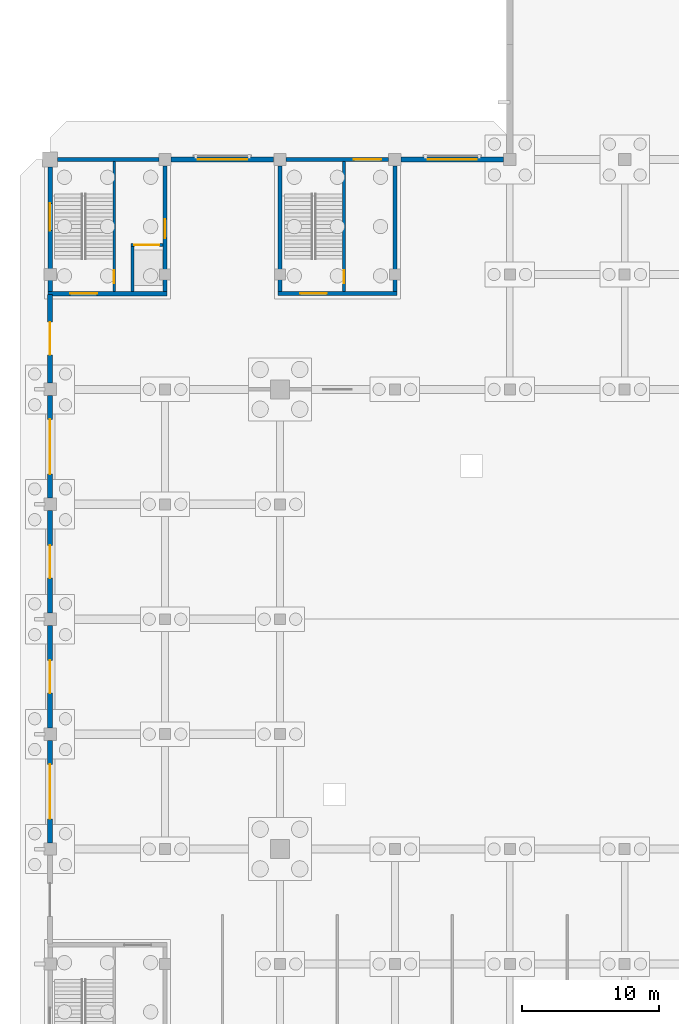
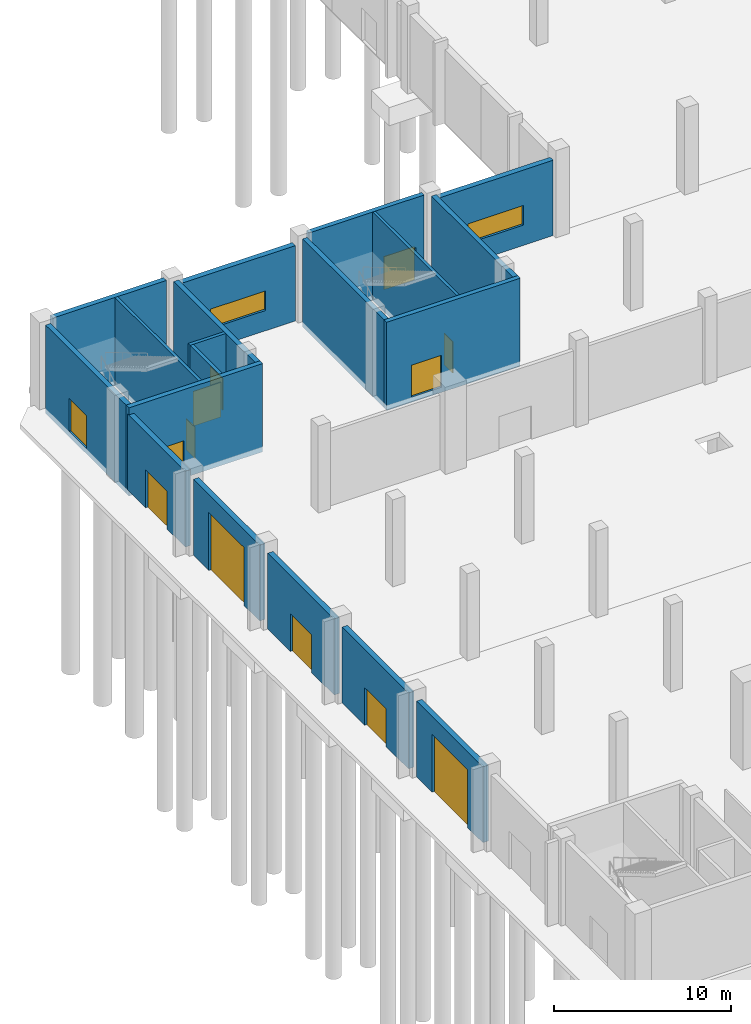
# One storey, part 55 of 72: 19 walls, 13 doors, 2 windows, 15 openings.
"""IFC4 building model written with IfcOpenShell, lengths in metres."""

from ifc_helpers import new_model, si_unit, direction, frame, frame_2d, origin, place, context, subcontext, project, spatial, rectangle, extrude, material, layer, layer_set, type_object, element, fill, save


model = new_model("IFC4")

# Units and contexts
model_context = context("Model", 3, precision=1e-05, world=origin(), true_north=direction((0.0, 1.0)))
body_context = subcontext(model_context, "Body", "Model", "MODEL_VIEW")
ifc_project = project(units=[si_unit("LENGTHUNIT", "METRE"), si_unit("AREAUNIT", "SQUARE_METRE"), si_unit("VOLUMEUNIT", "CUBIC_METRE"), si_unit("PLANEANGLEUNIT", "RADIAN"), si_unit("MASSUNIT", "GRAM", prefix="KILO")], contexts=[model_context])

# Site, building, storey
site_placement = place(None, origin())
site = spatial("IfcSite", under=ifc_project, at=site_placement, CompositionType="ELEMENT")
building_placement = place(site_placement, origin())
building = spatial("IfcBuilding", under=site, at=building_placement, Name="Qawsi Khor Wholesale Market", CompositionType="ELEMENT")
storey_placement = place(building_placement, origin())
storey = spatial("IfcBuildingStorey", under=building, at=storey_placement, Name="L00", CompositionType="ELEMENT", Elevation=0.0)

# Wall, opening, door
ifc_material_1 = material(Name="Concrete C40/50", Category="concrete")
ifc_layer_1 = layer(ifc_material_1, 0.300048828125, Name="Concrete C40/50")
ifc_layer_set_1 = layer_set([ifc_layer_1], Name="Concrete C40/50")
wall_type_1 = type_object("IfcWallType", Name="Core Shear Wall RC 300 C40/50", PredefinedType="SHEAR", material=ifc_layer_set_1)
wall_1_placement = place(storey_placement, frame((25.35009765625, 99.39990234375, -0.360107421875), z_axis=(0.0, 0.0, 1.0), x_axis=(-1.0, 0.0, 0.0)))
wall_1 = element("IfcWall", 1, at=wall_1_placement, inside=storey, type_object=wall_type_1, Name="Core C09 south shear wall L00", PredefinedType="SHEAR", context=body_context, shape_type="SweptSolid", body=[
    extrude(rectangle(XDim=8.7001953125, YDim=0.300048828125, at=frame_2d((4.35009765625, 0.0))), origin(), (0.0, 0.0, 1.0), 6.080078125),
])
opening_1_placement = place(wall_1_placement, frame((5.1201171875, 0.0, 0.360107421875)))
opening_1 = element("IfcOpeningElement", 2, at=opening_1_placement, cuts=wall_1, Name="Opening ID-01", PredefinedType="OPENING", context=body_context, shape_type="SweptSolid", body=[
    extrude(rectangle(XDim=1.9599609375, YDim=2.199951171875, at=frame_2d((0.97998046875, 1.10009765625))), frame((0.0, 0.159912109375, 0.0), z_axis=(0.0, -1.0, 0.0), x_axis=(1.0, 0.0, 0.0)), (0.0, 0.0, 1.0), 0.320068359375),
])
ifc_material_2 = material(Name="Steel Fire Door", Category="steel")
door_type_1 = type_object("IfcDoorType", Name="Stair & Core Fire Door 1960x2200 FD90S", OperationType="NOTDEFINED", PredefinedType="DOOR", material=ifc_material_2)
door_1_placement = place(opening_1_placement, origin())
door_1 = element("IfcDoor", 3, at=door_1_placement, inside=storey, type_object=door_type_1, Name="Core C09 fire door L00", OperationType="DOUBLE_DOOR_SINGLE_SWING", OverallHeight=2.199951171875, OverallWidth=1.9599609375, PredefinedType="DOOR", context=body_context, shape_type="SweptSolid", body=[
    extrude(rectangle(XDim=1.9599609375, YDim=2.199951171875, at=frame_2d((0.97998046875, 1.10009765625))), frame((0.0, 0.02490234375, 0.0), z_axis=(0.0, -1.0, 0.0), x_axis=(1.0, 0.0, 0.0)), (0.0, 0.0, 1.0), 0.050048828125),
])
fill(opening_1, door_1)

# Wall
wall_2_placement = place(storey_placement, frame((16.800048828125, 99.550048828125, -0.360107421875), z_axis=(0.0, 0.0, 1.0), x_axis=(0.0, 1.0, 0.0)))
element("IfcWall", 4, at=wall_2_placement, inside=storey, type_object=wall_type_1, Name="Core C09 west shear wall L00", PredefinedType="SHEAR", context=body_context, shape_type="SweptSolid", body=[
    extrude(rectangle(XDim=9.195068359375, YDim=0.300048828125, at=frame_2d((4.59765625, 0.0))), origin(), (0.0, 0.0, 1.0), 6.080078125),
])

# Wall, opening, door
wall_3_placement = place(storey_placement, frame((17.2548828125, 109.199951171875, -0.360107421875), z_axis=(0.0, 0.0, 1.0), x_axis=(1.0, 0.0, 0.0)))
wall_3 = element("IfcWall", 5, at=wall_3_placement, inside=storey, type_object=wall_type_1, Name="Core C09 north shear wall L00", PredefinedType="SHEAR", context=body_context, shape_type="SweptSolid", body=[
    extrude(rectangle(XDim=7.490234375, YDim=0.300048828125, at=frame_2d((3.7451171875, 0.0))), origin(), (0.0, 0.0, 1.0), 6.080078125),
])
opening_2_placement = place(wall_3_placement, frame((4.945068359375, 0.0, 0.360107421875)))
opening_2 = element("IfcOpeningElement", 6, at=opening_2_placement, cuts=wall_3, Name="Opening ED-06", PredefinedType="OPENING", context=body_context, shape_type="SweptSolid", body=[
    extrude(rectangle(XDim=2.0, YDim=2.280029296875, at=frame_2d((1.0, 1.14013671875))), frame((0.0, 0.159912109375, 0.0), z_axis=(0.0, -1.0, 0.0), x_axis=(1.0, 0.0, 0.0)), (0.0, 0.0, 1.0), 0.320068359375),
])
ifc_material_3 = material(Name="Powder-Coated Galvanised Steel & Glazing", Category="steel")
door_type_2 = type_object("IfcDoorType", Name="Final Exit Stair Discharge Door 2000x2280 FD120S", OperationType="NOTDEFINED", PredefinedType="DOOR", material=ifc_material_3)
door_2_placement = place(opening_2_placement, origin())
door_2 = element("IfcDoor", 7, at=door_2_placement, inside=storey, type_object=door_type_2, Name="Final exit stair discharge door ST-09", OperationType="DOUBLE_DOOR_SINGLE_SWING", OverallHeight=2.280029296875, OverallWidth=2.0, PredefinedType="DOOR", context=body_context, shape_type="SweptSolid", body=[
    extrude(rectangle(XDim=2.0, YDim=2.280029296875, at=frame_2d((1.0, 1.14013671875))), frame((0.0, 0.02490234375, 0.0), z_axis=(0.0, -1.0, 0.0), x_axis=(1.0, 0.0, 0.0)), (0.0, 0.0, 1.0), 0.050048828125),
])
fill(opening_2, door_2)

# Wall
wall_4_placement = place(storey_placement, frame((25.199951171875, 108.7451171875, -0.360107421875), z_axis=(0.0, 0.0, 1.0), x_axis=(0.0, -1.0, 0.0)))
element("IfcWall", 8, at=wall_4_placement, inside=storey, type_object=wall_type_1, Name="Core C09 east shear wall L00", PredefinedType="SHEAR", context=body_context, shape_type="SweptSolid", body=[
    extrude(rectangle(XDim=9.195068359375, YDim=0.300048828125, at=frame_2d((4.59765625, 0.0))), origin(), (0.0, 0.0, 1.0), 6.080078125),
])

# Wall, opening, door
ifc_layer_2 = layer(ifc_material_1, 0.320068359375, Name="Concrete C40/50")
ifc_layer_set_2 = layer_set([ifc_layer_2], Name="Concrete C40/50")
wall_type_2 = type_object("IfcWallType", Name="Hall Lateral Shear Wall RC 320 C40/50", PredefinedType="SHEAR", material=ifc_layer_set_2)
wall_5_placement = place(storey_placement, frame((8.56005859375, 99.39990234375, -0.360107421875), z_axis=(0.0, 0.0, 1.0), x_axis=(-1.0, 0.0, 0.0)))
wall_5 = element("IfcWall", 9, at=wall_5_placement, inside=storey, type_object=wall_type_2, Name="Core C08 south shear wall L00", PredefinedType="SHEAR", context=body_context, shape_type="SweptSolid", body=[
    extrude(rectangle(XDim=8.719970703125, YDim=0.320068359375, at=frame_2d((4.35986328125, 0.0))), origin(), (0.0, 0.0, 1.0), 6.080078125),
])
opening_3_placement = place(wall_5_placement, frame((5.1298828125, 0.0, 0.360107421875)))
opening_3 = element("IfcOpeningElement", 10, at=opening_3_placement, cuts=wall_5, Name="Opening ID-01", PredefinedType="OPENING", context=body_context, shape_type="SweptSolid", body=[
    extrude(rectangle(XDim=1.9599609375, YDim=2.199951171875, at=frame_2d((0.97998046875, 1.10009765625))), frame((0.0, 0.169921875, 0.0), z_axis=(0.0, -1.0, 0.0), x_axis=(1.0, 0.0, 0.0)), (0.0, 0.0, 1.0), 0.340087890625),
])
door_3_placement = place(opening_3_placement, origin())
door_3 = element("IfcDoor", 11, at=door_3_placement, inside=storey, type_object=door_type_1, Name="Core C08 fire door L00", OperationType="DOUBLE_DOOR_SINGLE_SWING", OverallHeight=2.199951171875, OverallWidth=1.9599609375, PredefinedType="DOOR", context=body_context, shape_type="SweptSolid", body=[
    extrude(rectangle(XDim=1.9599609375, YDim=2.199951171875, at=frame_2d((0.97998046875, 1.10009765625))), frame((0.0, 0.02490234375, 0.0), z_axis=(0.0, -1.0, 0.0), x_axis=(1.0, 0.0, 0.0)), (0.0, 0.0, 1.0), 0.050048828125),
])
fill(opening_3, door_3)

wall_6_placement = place(storey_placement, frame((0.0, 99.56005859375, -0.360107421875), z_axis=(0.0, 0.0, 1.0), x_axis=(0.0, 1.0, 0.0)))
wall_6 = element("IfcWall", 12, at=wall_6_placement, inside=storey, type_object=wall_type_2, Name="Core C08 west shear wall L00", PredefinedType="SHEAR", context=body_context, shape_type="SweptSolid", body=[
    extrude(rectangle(XDim=9.0849609375, YDim=0.320068359375, at=frame_2d((4.54248046875, 0.0))), origin(), (0.0, 0.0, 1.0), 6.080078125),
])
opening_4_placement = place(wall_6_placement, frame((4.43994140625, 0.0, 0.360107421875)))
opening_4 = element("IfcOpeningElement", 13, at=opening_4_placement, cuts=wall_6, Name="Opening ED-06", PredefinedType="OPENING", context=body_context, shape_type="SweptSolid", body=[
    extrude(rectangle(XDim=2.0, YDim=2.280029296875, at=frame_2d((1.0, 1.14013671875))), frame((0.0, 0.169921875, 0.0), z_axis=(0.0, -1.0, 0.0), x_axis=(1.0, 0.0, 0.0)), (0.0, 0.0, 1.0), 0.340087890625),
])
door_4_placement = place(opening_4_placement, origin())
door_4 = element("IfcDoor", 14, at=door_4_placement, inside=storey, type_object=door_type_2, Name="Final exit stair discharge door ST-08", OperationType="DOUBLE_DOOR_SINGLE_SWING", OverallHeight=2.280029296875, OverallWidth=2.0, PredefinedType="DOOR", context=body_context, shape_type="SweptSolid", body=[
    extrude(rectangle(XDim=2.0, YDim=2.280029296875, at=frame_2d((1.0, 1.14013671875))), frame((0.0, 0.02490234375, 0.0), z_axis=(0.0, -1.0, 0.0), x_axis=(1.0, 0.0, 0.0)), (0.0, 0.0, 1.0), 0.050048828125),
])
fill(opening_4, door_4)

# Wall
wall_7_placement = place(storey_placement, frame((0.554931640625, 109.199951171875, -0.360107421875), z_axis=(0.0, 0.0, 1.0), x_axis=(1.0, 0.0, 0.0)))
element("IfcWall", 15, at=wall_7_placement, inside=storey, type_object=wall_type_2, Name="Core C08 north shear wall L00", PredefinedType="SHEAR", context=body_context, shape_type="SweptSolid", body=[
    extrude(rectangle(XDim=7.39013671875, YDim=0.320068359375, at=frame_2d((3.695068359375, 0.0))), origin(), (0.0, 0.0, 1.0), 6.080078125),
])

# Wall, opening, door
wall_8_placement = place(storey_placement, frame((8.39990234375, 108.7451171875, -0.360107421875), z_axis=(0.0, 0.0, 1.0), x_axis=(0.0, -1.0, 0.0)))
wall_8 = element("IfcWall", 16, at=wall_8_placement, inside=storey, type_object=wall_type_2, Name="Core C08 east shear wall L00", PredefinedType="SHEAR", context=body_context, shape_type="SweptSolid", body=[
    extrude(rectangle(XDim=9.18505859375, YDim=0.320068359375, at=frame_2d((4.592529296875, 0.0))), origin(), (0.0, 0.0, 1.0), 6.080078125),
])
opening_5_placement = place(wall_8_placement, frame((3.89306640625, 0.0, 0.360107421875)))
opening_5 = element("IfcOpeningElement", 17, at=opening_5_placement, cuts=wall_8, Name="Opening ID-02", PredefinedType="OPENING", context=body_context, shape_type="SweptSolid", body=[
    extrude(rectangle(XDim=1.39990234375, YDim=2.199951171875, at=frame_2d((0.699951171875, 1.10009765625))), frame((0.0, 0.169921875, 0.0), z_axis=(0.0, -1.0, 0.0), x_axis=(1.0, 0.0, 0.0)), (0.0, 0.0, 1.0), 0.340087890625),
])
door_type_3 = type_object("IfcDoorType", Name="Firefighting Lobby Door 1400x2200 FD60S", OperationType="NOTDEFINED", PredefinedType="DOOR", material=ifc_material_2)
door_5_placement = place(opening_5_placement, origin())
door_5 = element("IfcDoor", 18, at=door_5_placement, inside=storey, type_object=door_type_3, Name="Core C08 lift lobby door L00", OperationType="SINGLE_SWING_LEFT", OverallHeight=2.199951171875, OverallWidth=1.39990234375, PredefinedType="DOOR", context=body_context, shape_type="SweptSolid", body=[
    extrude(rectangle(XDim=1.39990234375, YDim=2.199951171875, at=frame_2d((0.699951171875, 1.10009765625))), frame((0.0, 0.02490234375, 0.0), z_axis=(0.0, -1.0, 0.0), x_axis=(1.0, 0.0, 0.0)), (0.0, 0.0, 1.0), 0.050048828125),
])
fill(opening_5, door_5)

# Wall
ifc_layer_3 = layer(ifc_material_1, 0.219970703125, Name="Concrete C40/50")
ifc_layer_set_3 = layer_set([ifc_layer_3], Name="Concrete C40/50")
wall_type_3 = type_object("IfcWallType", Name="Lift & Stair Shaft Wall RC 220", PredefinedType="SOLIDWALL", material=ifc_layer_set_3)
wall_9_placement = place(storey_placement, frame((6.010009765625, 99.56005859375, 0.0), z_axis=(0.0, 0.0, 1.0), x_axis=(0.0, 1.0, 0.0)))
element("IfcWall", 19, at=wall_9_placement, inside=storey, type_object=wall_type_3, Name="Lift GL-02 shaft wall W L00", PredefinedType="SOLIDWALL", context=body_context, shape_type="SweptSolid", body=[
    extrude(rectangle(XDim=3.389892578125, YDim=0.219970703125, at=frame_2d((1.69482421875, 0.0))), origin(), (0.0, 0.0, 1.0), 5.719970703125),
])

# Wall, opening, door
wall_10_placement = place(storey_placement, frame((5.89990234375, 102.949951171875, 0.0), z_axis=(0.0, 0.0, 1.0), x_axis=(1.0, 0.0, 0.0)))
wall_10 = element("IfcWall", 20, at=wall_10_placement, inside=storey, type_object=wall_type_3, Name="Lift GL-02 shaft wall N L00", PredefinedType="SOLIDWALL", context=body_context, shape_type="SweptSolid", body=[
    extrude(rectangle(XDim=2.340087890625, YDim=0.219970703125, at=frame_2d((1.169921875, 0.0))), origin(), (0.0, 0.0, 1.0), 5.719970703125),
])
opening_6_placement = place(wall_10_placement, frame((0.260009765625, 0.0, 0.0)))
opening_6 = element("IfcOpeningElement", 21, at=opening_6_placement, cuts=wall_10, Name="Opening LD-G180", PredefinedType="OPENING", context=body_context, shape_type="SweptSolid", body=[
    extrude(rectangle(XDim=1.820068359375, YDim=2.39990234375, at=frame_2d((0.91015625, 1.199951171875))), frame((0.0, 0.119873046875, 0.0), z_axis=(0.0, -1.0, 0.0), x_axis=(1.0, 0.0, 0.0)), (0.0, 0.0, 1.0), 0.239990234375),
])
ifc_material_4 = material(Name="Heavy-Duty Stainless Steel", Category="steel")
door_type_4 = type_object("IfcDoorType", Name="Goods Lift Landing Sliding Door 1820x2400 FD90S", OperationType="NOTDEFINED", PredefinedType="DOOR", material=ifc_material_4)
door_6_placement = place(opening_6_placement, origin())
door_6 = element("IfcDoor", 22, at=door_6_placement, inside=storey, type_object=door_type_4, Name="Lift GL-02 landing door L00", OperationType="SLIDING_TO_LEFT", OverallHeight=2.39990234375, OverallWidth=1.820068359375, PredefinedType="DOOR", context=body_context, shape_type="SweptSolid", body=[
    extrude(rectangle(XDim=1.820068359375, YDim=2.39990234375, at=frame_2d((0.91015625, 1.199951171875))), frame((0.0, 0.02490234375, 0.0), z_axis=(0.0, -1.0, 0.0), x_axis=(1.0, 0.0, 0.0)), (0.0, 0.0, 1.0), 0.050048828125),
])
fill(opening_6, door_6)

ifc_layer_4 = layer(ifc_material_1, 0.18994140625, Name="Concrete C40/50")
ifc_layer_set_4 = layer_set([ifc_layer_4], Name="Concrete C40/50")
wall_type_4 = type_object("IfcWallType", Name="Stairwell Enclosure Wall RC 190", PredefinedType="SOLIDWALL", material=ifc_layer_set_4)
wall_11_placement = place(storey_placement, frame((4.679931640625, 99.56005859375, -0.360107421875), z_axis=(0.0, 0.0, 1.0), x_axis=(0.0, 1.0, 0.0)))
wall_11 = element("IfcWall", 23, at=wall_11_placement, inside=storey, type_object=wall_type_4, Name="Core C08 stairwell enclosure wall L00", PredefinedType="SOLIDWALL", context=body_context, shape_type="SweptSolid", body=[
    extrude(rectangle(XDim=9.47998046875, YDim=0.18994140625, at=frame_2d((4.739990234375, 0.0))), origin(), (0.0, 0.0, 1.0), 6.080078125),
])
opening_7_placement = place(wall_11_placement, frame((0.580078125, 0.0, 0.360107421875)))
opening_7 = element("IfcOpeningElement", 24, at=opening_7_placement, cuts=wall_11, Name="Opening ID-17", PredefinedType="OPENING", context=body_context, shape_type="SweptSolid", body=[
    extrude(rectangle(XDim=0.97998046875, YDim=2.14990234375, at=frame_2d((0.489990234375, 1.074951171875))), frame((0.0, 0.10498046875, 0.0), z_axis=(0.0, -1.0, 0.0), x_axis=(1.0, 0.0, 0.0)), (0.0, 0.0, 1.0), 0.2099609375),
])
door_type_5 = type_object("IfcDoorType", Name="Core Stair Lobby Fire Door 980x2150 FD120S", OperationType="NOTDEFINED", PredefinedType="DOOR", material=ifc_material_2)
door_7_placement = place(opening_7_placement, origin())
door_7 = element("IfcDoor", 25, at=door_7_placement, inside=storey, type_object=door_type_5, Name="Core C08 stair enclosure fire door L00", OperationType="SINGLE_SWING_LEFT", OverallHeight=2.14990234375, OverallWidth=0.97998046875, PredefinedType="DOOR", context=body_context, shape_type="SweptSolid", body=[
    extrude(rectangle(XDim=0.97998046875, YDim=2.14990234375, at=frame_2d((0.489990234375, 1.074951171875))), frame((0.0, 0.02490234375, 0.0), z_axis=(0.0, -1.0, 0.0), x_axis=(1.0, 0.0, 0.0)), (0.0, 0.0, 1.0), 0.050048828125),
])
fill(opening_7, door_7)

wall_12_placement = place(storey_placement, frame((21.47998046875, 99.56005859375, -0.360107421875), z_axis=(0.0, 0.0, 1.0), x_axis=(0.0, 1.0, 0.0)))
wall_12 = element("IfcWall", 26, at=wall_12_placement, inside=storey, type_object=wall_type_4, Name="Core C09 stairwell enclosure wall L00", PredefinedType="SOLIDWALL", context=body_context, shape_type="SweptSolid", body=[
    extrude(rectangle(XDim=9.47998046875, YDim=0.18994140625, at=frame_2d((4.739990234375, 0.0))), origin(), (0.0, 0.0, 1.0), 6.080078125),
])
opening_8_placement = place(wall_12_placement, frame((0.580078125, 0.0, 0.360107421875)))
opening_8 = element("IfcOpeningElement", 27, at=opening_8_placement, cuts=wall_12, Name="Opening ID-17", PredefinedType="OPENING", context=body_context, shape_type="SweptSolid", body=[
    extrude(rectangle(XDim=0.97998046875, YDim=2.14990234375, at=frame_2d((0.489990234375, 1.074951171875))), frame((0.0, 0.10498046875, 0.0), z_axis=(0.0, -1.0, 0.0), x_axis=(1.0, 0.0, 0.0)), (0.0, 0.0, 1.0), 0.2099609375),
])
door_8_placement = place(opening_8_placement, origin())
door_8 = element("IfcDoor", 28, at=door_8_placement, inside=storey, type_object=door_type_5, Name="Core C09 stair enclosure fire door L00", OperationType="SINGLE_SWING_LEFT", OverallHeight=2.14990234375, OverallWidth=0.97998046875, PredefinedType="DOOR", context=body_context, shape_type="SweptSolid", body=[
    extrude(rectangle(XDim=0.97998046875, YDim=2.14990234375, at=frame_2d((0.489990234375, 1.074951171875))), frame((0.0, 0.02490234375, 0.0), z_axis=(0.0, -1.0, 0.0), x_axis=(1.0, 0.0, 0.0)), (0.0, 0.0, 1.0), 0.050048828125),
])
fill(opening_8, door_8)

ifc_layer_5 = layer(ifc_material_1, 0.35009765625, Name="Concrete C40/50")
ifc_layer_set_5 = layer_set([ifc_layer_5], Name="Concrete C40/50")
wall_type_5 = type_object("IfcWallType", Name="Trading Hall Precast Concrete Wall 350", PredefinedType="SOLIDWALL", material=ifc_layer_set_5)
wall_13_placement = place(storey_placement, frame((0.0, 59.2548828125, 0.0), z_axis=(0.0, 0.0, 1.0), x_axis=(0.0, 1.0, 0.0)))
wall_13 = element("IfcWall", 29, at=wall_13_placement, inside=storey, type_object=wall_type_5, Name="EW-L00-WHW-07", PredefinedType="SOLIDWALL", context=body_context, shape_type="SweptSolid", body=[
    extrude(rectangle(XDim=7.490234375, YDim=0.35009765625, at=frame_2d((3.7451171875, 0.0))), origin(), (0.0, 0.0, 1.0), 5.22998046875),
])
opening_9_placement = place(wall_13_placement, frame((1.7451171875, 0.0, 0.0)))
opening_9 = element("IfcOpeningElement", 30, at=opening_9_placement, cuts=wall_13, Name="Opening GT-02", PredefinedType="OPENING", context=body_context, shape_type="SweptSolid", body=[
    extrude(rectangle(XDim=4.0, YDim=4.0, at=frame_2d((2.0, 2.0))), frame((0.0, 0.18505859375, 0.0), z_axis=(0.0, -1.0, 0.0), x_axis=(1.0, 0.0, 0.0)), (0.0, 0.0, 1.0), 0.3701171875),
])
door_type_6 = type_object("IfcDoorType", Name="Produce Hall Service Apron Gate 4000x4000", OperationType="NOTDEFINED", PredefinedType="GATE", material=ifc_material_3)
door_9_placement = place(opening_9_placement, origin())
door_9 = element("IfcDoor", 31, at=door_9_placement, inside=storey, type_object=door_type_6, Name="Produce service gate W-7", OperationType="ROLLINGUP", OverallHeight=4.0, OverallWidth=4.0, PredefinedType="GATE", context=body_context, shape_type="SweptSolid", body=[
    extrude(rectangle(XDim=4.0, YDim=4.0, at=frame_2d((2.0, 2.0))), frame((0.0, 0.02490234375, 0.0), z_axis=(0.0, -1.0, 0.0), x_axis=(1.0, 0.0, 0.0)), (0.0, 0.0, 1.0), 0.050048828125),
])
fill(opening_9, door_9)

wall_14_placement = place(storey_placement, frame((0.0, 67.655029296875, 0.0), z_axis=(0.0, 0.0, 1.0), x_axis=(0.0, 1.0, 0.0)))
wall_14 = element("IfcWall", 32, at=wall_14_placement, inside=storey, type_object=wall_type_5, Name="EW-L00-WHW-08", PredefinedType="SOLIDWALL", context=body_context, shape_type="SweptSolid", body=[
    extrude(rectangle(XDim=7.489990234375, YDim=0.35009765625, at=frame_2d((3.7451171875, 0.0))), origin(), (0.0, 0.0, 1.0), 5.22998046875),
])
opening_10_placement = place(wall_14_placement, frame((2.544921875, 0.0, 0.0)))
opening_10 = element("IfcOpeningElement", 33, at=opening_10_placement, cuts=wall_14, Name="Opening ED-01", PredefinedType="OPENING", context=body_context, shape_type="SweptSolid", body=[
    extrude(rectangle(XDim=2.39990234375, YDim=2.60009765625, at=frame_2d((1.199951171875, 1.300048828125))), frame((0.0, 0.18505859375, 0.0), z_axis=(0.0, -1.0, 0.0), x_axis=(1.0, 0.0, 0.0)), (0.0, 0.0, 1.0), 0.3701171875),
])
door_type_7 = type_object("IfcDoorType", Name="Main Boulevard Entrance Double Door 2400x2600", OperationType="NOTDEFINED", PredefinedType="DOOR", material=ifc_material_3)
door_10_placement = place(opening_10_placement, origin())
door_10 = element("IfcDoor", 34, at=door_10_placement, inside=storey, type_object=door_type_7, Name="Produce Hall West Exit 8", OperationType="DOUBLE_DOOR_SINGLE_SWING", OverallHeight=2.60009765625, OverallWidth=2.39990234375, PredefinedType="DOOR", context=body_context, shape_type="SweptSolid", body=[
    extrude(rectangle(XDim=2.39990234375, YDim=2.60009765625, at=frame_2d((1.199951171875, 1.300048828125))), frame((0.0, 0.02490234375, 0.0), z_axis=(0.0, -1.0, 0.0), x_axis=(1.0, 0.0, 0.0)), (0.0, 0.0, 1.0), 0.050048828125),
])
fill(opening_10, door_10)

wall_15_placement = place(storey_placement, frame((0.0, 76.054931640625, 0.0), z_axis=(0.0, 0.0, 1.0), x_axis=(0.0, 1.0, 0.0)))
wall_15 = element("IfcWall", 35, at=wall_15_placement, inside=storey, type_object=wall_type_5, Name="EW-L00-WHW-09", PredefinedType="SOLIDWALL", context=body_context, shape_type="SweptSolid", body=[
    extrude(rectangle(XDim=7.489990234375, YDim=0.35009765625, at=frame_2d((3.7451171875, 0.0))), origin(), (0.0, 0.0, 1.0), 5.22998046875),
])
opening_11_placement = place(wall_15_placement, frame((2.544921875, 0.0, 0.0)))
opening_11 = element("IfcOpeningElement", 36, at=opening_11_placement, cuts=wall_15, Name="Opening ED-01", PredefinedType="OPENING", context=body_context, shape_type="SweptSolid", body=[
    extrude(rectangle(XDim=2.39990234375, YDim=2.60009765625, at=frame_2d((1.199951171875, 1.300048828125))), frame((0.0, 0.18505859375, 0.0), z_axis=(0.0, -1.0, 0.0), x_axis=(1.0, 0.0, 0.0)), (0.0, 0.0, 1.0), 0.3701171875),
])
door_11_placement = place(opening_11_placement, origin())
door_11 = element("IfcDoor", 37, at=door_11_placement, inside=storey, type_object=door_type_7, Name="Produce Hall West Exit 9", OperationType="DOUBLE_DOOR_SINGLE_SWING", OverallHeight=2.60009765625, OverallWidth=2.39990234375, PredefinedType="DOOR", context=body_context, shape_type="SweptSolid", body=[
    extrude(rectangle(XDim=2.39990234375, YDim=2.60009765625, at=frame_2d((1.199951171875, 1.300048828125))), frame((0.0, 0.02490234375, 0.0), z_axis=(0.0, -1.0, 0.0), x_axis=(1.0, 0.0, 0.0)), (0.0, 0.0, 1.0), 0.050048828125),
])
fill(opening_11, door_11)

wall_16_placement = place(storey_placement, frame((0.0, 84.455078125, 0.0), z_axis=(0.0, 0.0, 1.0), x_axis=(0.0, 1.0, 0.0)))
wall_16 = element("IfcWall", 38, at=wall_16_placement, inside=storey, type_object=wall_type_5, Name="EW-L00-WHW-10", PredefinedType="SOLIDWALL", context=body_context, shape_type="SweptSolid", body=[
    extrude(rectangle(XDim=7.489990234375, YDim=0.35009765625, at=frame_2d((3.7451171875, 0.0))), origin(), (0.0, 0.0, 1.0), 5.22998046875),
])
opening_12_placement = place(wall_16_placement, frame((1.7451171875, 0.0, 0.0)))
opening_12 = element("IfcOpeningElement", 39, at=opening_12_placement, cuts=wall_16, Name="Opening GT-02", PredefinedType="OPENING", context=body_context, shape_type="SweptSolid", body=[
    extrude(rectangle(XDim=4.0, YDim=4.0, at=frame_2d((2.0, 2.0))), frame((0.0, 0.18505859375, 0.0), z_axis=(0.0, -1.0, 0.0), x_axis=(1.0, 0.0, 0.0)), (0.0, 0.0, 1.0), 0.3701171875),
])
door_12_placement = place(opening_12_placement, origin())
door_12 = element("IfcDoor", 40, at=door_12_placement, inside=storey, type_object=door_type_6, Name="Produce service gate W-10", OperationType="ROLLINGUP", OverallHeight=4.0, OverallWidth=4.0, PredefinedType="GATE", context=body_context, shape_type="SweptSolid", body=[
    extrude(rectangle(XDim=4.0, YDim=4.0, at=frame_2d((2.0, 2.0))), frame((0.0, 0.02490234375, 0.0), z_axis=(0.0, -1.0, 0.0), x_axis=(1.0, 0.0, 0.0)), (0.0, 0.0, 1.0), 0.050048828125),
])
fill(opening_12, door_12)

wall_17_placement = place(storey_placement, frame((0.0, 92.85498046875, 0.0), z_axis=(0.0, 0.0, 1.0), x_axis=(0.0, 1.0, 0.0)))
wall_17 = element("IfcWall", 41, at=wall_17_placement, inside=storey, type_object=wall_type_5, Name="EW-L00-WHW-11", PredefinedType="SOLIDWALL", context=body_context, shape_type="SweptSolid", body=[
    extrude(rectangle(XDim=6.4951171875, YDim=0.35009765625, at=frame_2d((3.24755859375, 0.0))), origin(), (0.0, 0.0, 1.0), 5.22998046875),
])
opening_13_placement = place(wall_17_placement, frame((2.06005859375, 0.0, 0.0)))
opening_13 = element("IfcOpeningElement", 42, at=opening_13_placement, cuts=wall_17, Name="Opening ED-01", PredefinedType="OPENING", context=body_context, shape_type="SweptSolid", body=[
    extrude(rectangle(XDim=2.39990234375, YDim=2.60009765625, at=frame_2d((1.199951171875, 1.300048828125))), frame((0.0, 0.18505859375, 0.0), z_axis=(0.0, -1.0, 0.0), x_axis=(1.0, 0.0, 0.0)), (0.0, 0.0, 1.0), 0.3701171875),
])
door_13_placement = place(opening_13_placement, origin())
door_13 = element("IfcDoor", 43, at=door_13_placement, inside=storey, type_object=door_type_7, Name="Produce Hall West Exit 11", OperationType="DOUBLE_DOOR_SINGLE_SWING", OverallHeight=2.60009765625, OverallWidth=2.39990234375, PredefinedType="DOOR", context=body_context, shape_type="SweptSolid", body=[
    extrude(rectangle(XDim=2.39990234375, YDim=2.60009765625, at=frame_2d((1.199951171875, 1.300048828125))), frame((0.0, 0.02490234375, 0.0), z_axis=(0.0, -1.0, 0.0), x_axis=(1.0, 0.0, 0.0)), (0.0, 0.0, 1.0), 0.050048828125),
])
fill(opening_13, door_13)

# Wall, opening, window
wall_18_placement = place(storey_placement, frame((8.85498046875, 109.199951171875, 0.0), z_axis=(0.0, 0.0, 1.0), x_axis=(1.0, 0.0, 0.0)))
wall_18 = element("IfcWall", 44, at=wall_18_placement, inside=storey, type_object=wall_type_5, Name="EW-L00-WHN-01", PredefinedType="SOLIDWALL", context=body_context, shape_type="SweptSolid", body=[
    extrude(rectangle(XDim=7.489990234375, YDim=0.35009765625, at=frame_2d((3.7451171875, 0.0))), origin(), (0.0, 0.0, 1.0), 5.18994140625),
])
opening_14_placement = place(wall_18_placement, frame((1.945068359375, 0.0, 1.39990234375)))
opening_14 = element("IfcOpeningElement", 45, at=opening_14_placement, cuts=wall_18, Name="Opening W-12", PredefinedType="OPENING", context=body_context, shape_type="SweptSolid", body=[
    extrude(rectangle(XDim=3.60009765625, YDim=1.35009765625, at=frame_2d((1.800048828125, 0.675048828125))), frame((0.0, 0.18505859375, 0.0), z_axis=(0.0, -1.0, 0.0), x_axis=(1.0, 0.0, 0.0)), (0.0, 0.0, 1.0), 0.3701171875),
])
ifc_material_5 = material(Name="Thermally Broken Aluminium & Low-E Glass", Category="aluminium")
window_type = type_object("IfcWindowType", Name="Win W-12 Hall North Clerestory 3600x1350", PartitioningType="SINGLE_PANEL", PredefinedType="WINDOW", material=ifc_material_5)
window_1_placement = place(opening_14_placement, origin())
window_1 = element("IfcWindow", 46, at=window_1_placement, inside=storey, type_object=window_type, Name="Win W-12 Hall North Clerestory 3600x1350 146", OverallHeight=1.35009765625, OverallWidth=3.60009765625, PartitioningType="SINGLE_PANEL", PredefinedType="WINDOW", context=body_context, shape_type="SweptSolid", body=[
    extrude(rectangle(XDim=3.60009765625, YDim=1.35009765625, at=frame_2d((1.800048828125, 0.675048828125))), frame((0.0, 0.030029296875, 0.0), z_axis=(0.0, -1.0, 0.0), x_axis=(1.0, 0.0, 0.0)), (0.0, 0.0, 1.0), 0.06005859375),
])
fill(opening_14, window_1)

wall_19_placement = place(storey_placement, frame((25.655029296875, 109.199951171875, 0.0), z_axis=(0.0, 0.0, 1.0), x_axis=(1.0, 0.0, 0.0)))
wall_19 = element("IfcWall", 47, at=wall_19_placement, inside=storey, type_object=wall_type_5, Name="EW-L00-WHN-03", PredefinedType="SOLIDWALL", context=body_context, shape_type="SweptSolid", body=[
    extrude(rectangle(XDim=7.489990234375, YDim=0.35009765625, at=frame_2d((3.7451171875, 0.0))), origin(), (0.0, 0.0, 1.0), 5.18994140625),
])
opening_15_placement = place(wall_19_placement, frame((1.945068359375, 0.0, 1.39990234375)))
opening_15 = element("IfcOpeningElement", 48, at=opening_15_placement, cuts=wall_19, Name="Opening W-12", PredefinedType="OPENING", context=body_context, shape_type="SweptSolid", body=[
    extrude(rectangle(XDim=3.60009765625, YDim=1.35009765625, at=frame_2d((1.800048828125, 0.675048828125))), frame((0.0, 0.18505859375, 0.0), z_axis=(0.0, -1.0, 0.0), x_axis=(1.0, 0.0, 0.0)), (0.0, 0.0, 1.0), 0.3701171875),
])
window_2_placement = place(opening_15_placement, origin())
window_2 = element("IfcWindow", 49, at=window_2_placement, inside=storey, type_object=window_type, Name="Win W-12 Hall North Clerestory 3600x1350 147", OverallHeight=1.35009765625, OverallWidth=3.60009765625, PartitioningType="SINGLE_PANEL", PredefinedType="WINDOW", context=body_context, shape_type="SweptSolid", body=[
    extrude(rectangle(XDim=3.60009765625, YDim=1.35009765625, at=frame_2d((1.800048828125, 0.675048828125))), frame((0.0, 0.030029296875, 0.0), z_axis=(0.0, -1.0, 0.0), x_axis=(1.0, 0.0, 0.0)), (0.0, 0.0, 1.0), 0.06005859375),
])
fill(opening_15, window_2)

save(model, "model.ifc")
